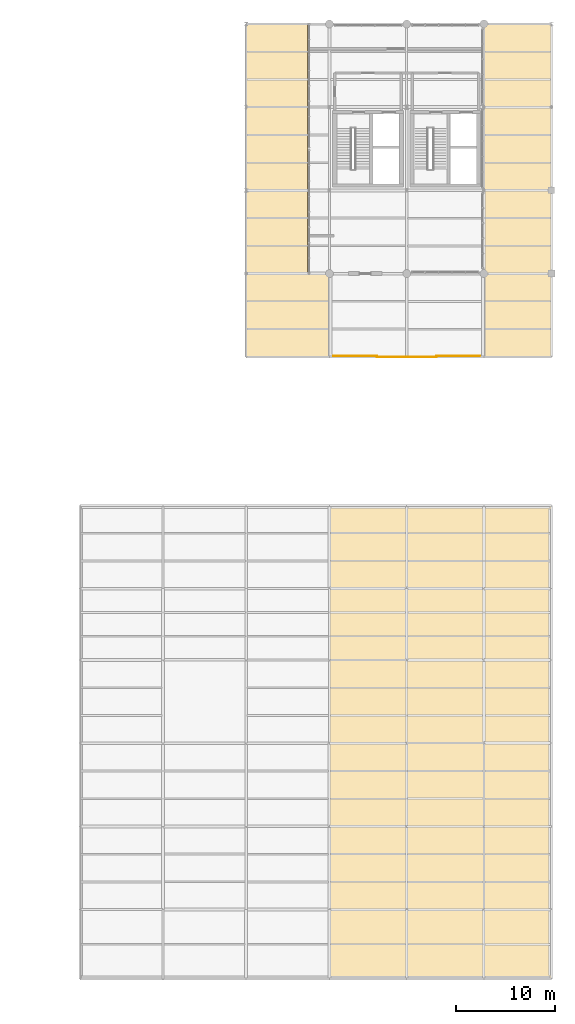
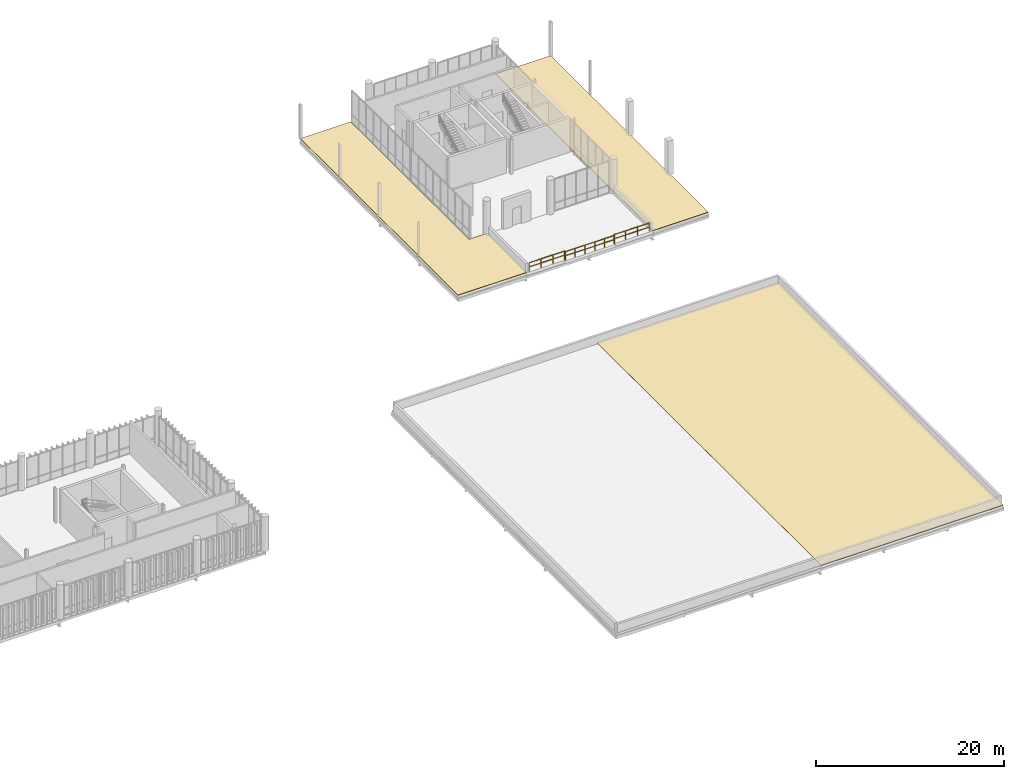
# One storey, part 66 of 68: 3 coverings, 3 railings, 3 elements without a shape of their own.
"""IFC4 building model written with IfcOpenShell, lengths in metres."""

import ifcopenshell
import ifcopenshell.guid

model = None  # the IFC model being written
_history = None  # IfcOwnerHistory: only IFC2X3 demands one
_inside = {}  # id of a spatial element -> (the spatial element, [elements in it])
_under = {}  # id of a project, library or spatial element -> (it, [spatial elements below it])
_declared = {}  # id of a project -> (the project, [libraries it declares])
_typed = {}  # id of a type object -> (the type object, [elements of that type])
_made_of = {}  # id of a material, layer set ... -> (it, [elements and type objects made of it])


def new_model(schema):
    """Start an empty IFC model of exactly this schema.

    Asked for "IFC4X3", IfcOpenShell would pick the latest addendum, in which some entities
    have other attributes; the version numbers below select the first issue.
    IFC2X3 requires an IfcOwnerHistory on every rooted entity: one is made here for all.
    """
    global model, _history
    if schema == "IFC4X3":
        model = ifcopenshell.file(schema_version=(4, 3, 0, 0))
    else:
        model = ifcopenshell.file(schema=schema)
    _inside.clear()
    _under.clear()
    _declared.clear()
    _typed.clear()
    _made_of.clear()
    _history = None
    if model.schema == "IFC2X3":
        org = make("IfcOrganization", Name="unknown")
        user = make(
            "IfcPersonAndOrganization",
            ThePerson=make("IfcPerson", FamilyName="unknown"),
            TheOrganization=org,
        )
        app = make(
            "IfcApplication",
            ApplicationDeveloper=org,
            Version="unknown",
            ApplicationFullName="unknown",
            ApplicationIdentifier="unknown",
        )
        _history = make(
            "IfcOwnerHistory",
            OwningUser=user,
            OwningApplication=app,
            ChangeAction="ADDED",
            CreationDate=0,
        )
    return model


def make(cls, **values):
    """One entity of the class cls with the attributes given. An attribute that is None is left unset."""
    return model.create_entity(
        cls, **{name: value for name, value in values.items() if value is not None}
    )


def rooted(cls, **values):
    """An entity with a GlobalId (a new one), such as an element, a storey or a relation."""
    return make(cls, GlobalId=ifcopenshell.guid.new(), OwnerHistory=_history, **values)


def si_unit(unit_type, name, prefix=None):
    """IfcSIUnit, for example si_unit("LENGTHUNIT", "METRE", prefix="MILLI")."""
    return make("IfcSIUnit", UnitType=unit_type, Prefix=prefix, Name=name)


def assignment(units):
    """IfcUnitAssignment: the units of a project."""
    return None if units is None else make("IfcUnitAssignment", Units=units)


def point(xyz):
    """IfcCartesianPoint."""
    return None if xyz is None else make("IfcCartesianPoint", Coordinates=xyz)


def direction(xyz):
    """IfcDirection."""
    return None if xyz is None else make("IfcDirection", DirectionRatios=xyz)


def frame(location, z_axis=None, x_axis=None):
    """IfcAxis2Placement3D, a coordinate frame: its origin and axes. An axis left out is left unset."""
    return make(
        "IfcAxis2Placement3D",
        Location=point(location),
        Axis=direction(z_axis),
        RefDirection=direction(x_axis),
    )


def frame_2d(location, x_axis=None):
    """IfcAxis2Placement2D, a coordinate frame in the plane: its origin and x axis."""
    return make(
        "IfcAxis2Placement2D", Location=point(location), RefDirection=direction(x_axis)
    )


def origin_with_axes():
    """The frame at (0, 0, 0) with the z axis (0, 0, 1) and the x axis (1, 0, 0) written out."""
    return frame((0.0, 0.0, 0.0), z_axis=(0.0, 0.0, 1.0), x_axis=(1.0, 0.0, 0.0))


def origin_2d_with_axis():
    """The frame at (0, 0) in the plane with the x axis (1, 0) written out."""
    return frame_2d((0.0, 0.0), x_axis=(1.0, 0.0))


def place(relative_to, where):
    """IfcLocalPlacement: puts the frame where relative to a parent placement (None: the world)."""
    return make(
        "IfcLocalPlacement", PlacementRelTo=relative_to, RelativePlacement=where
    )


def context(
    kind, dimensions, precision=None, world=None, true_north=None, identifier=None
):
    """IfcGeometricRepresentationContext, for example the 3D "Model" context."""
    return make(
        "IfcGeometricRepresentationContext",
        ContextIdentifier=identifier,
        ContextType=kind,
        CoordinateSpaceDimension=dimensions,
        Precision=precision,
        WorldCoordinateSystem=world,
        TrueNorth=true_north,
    )


def subcontext(parent, identifier, kind, view, scale=None):
    """IfcGeometricRepresentationSubContext, for example "Body" below "Model"."""
    return make(
        "IfcGeometricRepresentationSubContext",
        ContextIdentifier=identifier,
        ContextType=kind,
        ParentContext=parent,
        TargetScale=scale,
        TargetView=view,
    )


def project(units=None, contexts=None):
    """IfcProject with its units and contexts."""
    return rooted(
        "IfcProject",
        Name="project",
        RepresentationContexts=contexts,
        UnitsInContext=assignment(units),
    )


def spatial(cls, under=None, at=None, **own):
    """A site, building, storey or space (cls), placed at a placement, below another one or the project."""
    s = rooted(cls, ObjectPlacement=at, **own)
    if under is not None:
        _under.setdefault(under.id(), (under, []))[1].append(s)
    return s


def polyline(points):
    """IfcPolyline through the points."""
    return make("IfcPolyline", Points=[point(p) for p in points])


def profile(cls, at=None, kind="AREA", **sizes):
    """A parametric profile (cls). Its sizes go by their IFC names, for example OverallWidth=200.0."""
    return make(cls, ProfileType=kind, Position=at, **sizes)


def circle(**sizes):
    """IfcCircleProfileDef."""
    return profile("IfcCircleProfileDef", **sizes)


def outline(outer, holes=None, kind="AREA"):
    """IfcArbitraryClosedProfileDef: a profile drawn as a closed curve; with holes, ...WithVoids."""
    if holes is None:
        return make("IfcArbitraryClosedProfileDef", ProfileType=kind, OuterCurve=outer)
    return make(
        "IfcArbitraryProfileDefWithVoids",
        ProfileType=kind,
        OuterCurve=outer,
        InnerCurves=holes,
    )


def extrude(swept, where, along, depth):
    """IfcExtrudedAreaSolid: the profile swept, set in the frame where, extruded along a direction by depth."""
    return make(
        "IfcExtrudedAreaSolid",
        SweptArea=swept,
        Position=where,
        ExtrudedDirection=direction(along),
        Depth=depth,
    )


def shape(context_of_items, identifier, shape_type, items):
    """IfcShapeRepresentation: the items that make up one representation, for example the "Body"."""
    return make(
        "IfcShapeRepresentation",
        ContextOfItems=context_of_items,
        RepresentationIdentifier=identifier,
        RepresentationType=shape_type,
        Items=items,
    )


def material(Name=None, Category=None):
    """IfcMaterial."""
    return make("IfcMaterial", Name=Name, Category=Category)


def made_of(thing, what):
    """Note that an element or type object is made of a material, layer set ...; save() writes the relation."""
    if what is not None:
        _made_of.setdefault(what.id(), (what, []))[1].append(thing)
    return thing


def type_object(cls, material=None, **own):
    """A type object (cls), such as IfcWallType, which elements share."""
    return made_of(rooted(cls, **own), material)


def element(
    cls,
    number,
    at=None,
    inside=None,
    cuts=None,
    type_object=None,
    material=None,
    context=None,
    identifier="Body",
    shape_type=None,
    held_by="IfcProductDefinitionShape",
    body=None,
    shapes=None,
    **own,
):
    """One element of the class cls, such as IfcWall. Its Tag is "e" and its number.

    at: its placement. inside: the storey or other place that contains it. cuts: it is an
    opening in that element (IfcRelVoidsElement). A single representation is given by context,
    identifier, shape_type and body (its items); several are given by shapes. held_by: the class
    of the entity that holds the representations. save() writes the other relations.
    """
    e = rooted(cls, Tag="e%d" % number, ObjectPlacement=at, **own)
    if body is not None:
        shapes = [shape(context, identifier, shape_type, body)]
    if shapes is not None:
        e.Representation = make(held_by, Representations=shapes)
    if inside is not None:
        _inside.setdefault(inside.id(), (inside, []))[1].append(e)
    if cuts is not None:
        rooted(
            "IfcRelVoidsElement", RelatingBuildingElement=cuts, RelatedOpeningElement=e
        )
    if type_object is not None:
        _typed.setdefault(type_object.id(), (type_object, []))[1].append(e)
    return made_of(e, material)


def aggregate(whole, parts):
    """IfcRelAggregates: a whole, such as a stair, and the parts it consists of."""
    return rooted("IfcRelAggregates", RelatingObject=whole, RelatedObjects=parts)


def save(model, path):
    """Write the relations noted so far, then the file.

    IfcRelAggregates (storeys below a building ...), IfcRelContainedInSpatialStructure (elements
    in a storey), IfcRelDefinesByType, IfcRelAssociatesMaterial and IfcRelDeclares: one each for
    every whole, place, type object, material and project.
    """
    for whole, parts in _under.values():
        aggregate(whole, parts)
    for where, things in _inside.values():
        rooted(
            "IfcRelContainedInSpatialStructure",
            RelatedElements=things,
            RelatingStructure=where,
        )
    for kind, things in _typed.values():
        rooted("IfcRelDefinesByType", RelatedObjects=things, RelatingType=kind)
    for what, things in _made_of.values():
        rooted("IfcRelAssociatesMaterial", RelatedObjects=things, RelatingMaterial=what)
    for by, libraries in _declared.values():
        rooted("IfcRelDeclares", RelatingContext=by, RelatedDefinitions=libraries)
    model.write(path)


model = new_model("IFC4")

# Units and contexts
model_context = context("Model", 3, precision=1e-05, world=origin_with_axes(), true_north=direction((0.0, 1.0)))
body_context = subcontext(model_context, "Body", "Model", "MODEL_VIEW")
ifc_project = project(units=[si_unit("LENGTHUNIT", "METRE"), si_unit("AREAUNIT", "SQUARE_METRE"), si_unit("VOLUMEUNIT", "CUBIC_METRE"), si_unit("PLANEANGLEUNIT", "RADIAN"), si_unit("MASSUNIT", "GRAM", prefix="KILO"), si_unit("THERMODYNAMICTEMPERATUREUNIT", "KELVIN")], contexts=[model_context])

# Site, building, storey
site_placement = place(None, origin_with_axes())
site = spatial("IfcSite", under=ifc_project, at=site_placement, CompositionType="ELEMENT")
building_placement = place(site_placement, origin_with_axes())
building = spatial("IfcBuilding", under=site, at=building_placement, Name="Montbau Bow Law Courts", CompositionType="ELEMENT")
storey_placement = place(building_placement, frame((0.0, 0.0, 20.4), z_axis=(0.0, 0.0, 1.0), x_axis=(1.0, 0.0, 0.0)))
storey = spatial("IfcBuildingStorey", under=building, at=storey_placement, Name="L04", CompositionType="ELEMENT", Elevation=20.4)

# Roof, covering
ifc_material_1 = material(Name="Insulated Inverted Membrane Roof", Category="other")
roof_type = type_object("IfcRoofType", Name="RF-FL-01", PredefinedType="FLAT_ROOF", material=ifc_material_1)
roof_1_placement = place(None, frame((147.0, 6.8, 20.4), z_axis=(0.0, 0.0, 1.0), x_axis=(1.0, 0.0, 0.0)))
roof_1 = element("IfcRoof", 1, at=roof_1_placement, inside=storey, type_object=roof_type, Name="ROOF-V6S:rof_0005", PredefinedType="FLAT_ROOF")
ifc_material_2 = material(Name="Standing-Seam Pre-Weathered Zinc Roofing Membrane", Category="steel")
covering_type = type_object("IfcCoveringType", Name="CV-ROF-01", PredefinedType="ROOFING", material=ifc_material_2)
covering_1_placement = place(None, frame((0.0, 0.0, 20.4), z_axis=(0.0, 0.0, 1.0), x_axis=(1.0, 0.0, 0.0)))
covering_1 = element("IfcCovering", 2, at=covering_1_placement, type_object=covering_type, Name="CVR-V6S:cov_0005", PredefinedType="ROOFING", context=body_context, shape_type="SweptSolid", body=[
    extrude(outline(polyline([(147.0, 6.8), (169.4, 6.8), (169.4, 54.6), (147.0, 54.6), (147.0, 6.8)])), origin_with_axes(), (0.0, 0.0, 1.0), 0.06),
])
aggregate(roof_1, [covering_1])

roof_2_placement = place(None, frame((138.6, 69.6, 20.4), z_axis=(0.0, 0.0, 1.0), x_axis=(1.0, 0.0, 0.0)))
roof_2 = element("IfcRoof", 3, at=roof_2_placement, inside=storey, type_object=roof_type, Name="ROOF-LID-L04-18:rof_0023", PredefinedType="FLAT_ROOF")
covering_2_placement = place(None, frame((0.0, 0.0, 20.4), z_axis=(0.0, 0.0, 1.0), x_axis=(1.0, 0.0, 0.0)))
covering_2 = element("IfcCovering", 4, at=covering_2_placement, type_object=covering_type, Name="CVR-LID-L04-18:cov_0023", PredefinedType="ROOFING", context=body_context, shape_type="SweptSolid", body=[
    extrude(outline(polyline([(144.796, 103.2), (144.796, 77.996), (146.996, 77.996), (146.996, 69.6), (138.6, 69.6), (138.6, 103.2), (144.796, 103.2)])), origin_with_axes(), (0.0, 0.0, 1.0), 0.06),
])
aggregate(roof_2, [covering_2])

roof_3_placement = place(None, frame((162.604, 69.6, 20.4), z_axis=(0.0, 0.0, 1.0), x_axis=(1.0, 0.0, 0.0)))
roof_3 = element("IfcRoof", 5, at=roof_3_placement, inside=storey, type_object=roof_type, Name="ROOF-LID-L04-19:rof_0024", PredefinedType="FLAT_ROOF")
covering_3_placement = place(None, frame((0.0, 0.0, 20.4), z_axis=(0.0, 0.0, 1.0), x_axis=(1.0, 0.0, 0.0)))
covering_3 = element("IfcCovering", 6, at=covering_3_placement, type_object=covering_type, Name="CVR-LID-L04-19:cov_0024", PredefinedType="ROOFING", context=body_context, shape_type="SweptSolid", body=[
    extrude(outline(polyline([(169.4, 103.2), (169.4, 69.6), (162.604, 69.6), (162.604, 103.2), (169.4, 103.2)])), origin_with_axes(), (0.0, 0.0, 1.0), 0.06),
])
aggregate(roof_3, [covering_3])

# Railings
ifc_material_3 = material(Name="Brushed Stainless Steel AISI 316L Guardrail", Category="steel")
railing_type = type_object("IfcRailingType", Name="RL-GRD-1120", PredefinedType="GUARDRAIL", material=ifc_material_3)
railing_1_placement = place(None, origin_with_axes())
element("IfcRailing", 7, at=railing_1_placement, inside=storey, type_object=railing_type, Name="GRD-TER-L04-V5-4:rlg_0014", PredefinedType="GUARDRAIL", context=body_context, shape_type="SweptSolid", body=[
    extrude(circle(Radius=0.025, at=origin_2d_with_axis()), frame((162.184, 69.7, 21.522), z_axis=(-1.0, 0.0, 0.0), x_axis=(0.0, 0.0, 1.0)), (0.0, 0.0, 1.0), 4.364),
    extrude(circle(Radius=0.022500000000000003, at=origin_2d_with_axis()), frame((162.184, 69.7, 20.9824), z_axis=(-1.0, 0.0, 0.0), x_axis=(0.0, 0.0, 1.0)), (0.0, 0.0, 1.0), 4.364),
    extrude(circle(Radius=0.022500000000000003, at=origin_2d_with_axis()), frame((162.184, 69.7, 20.4), z_axis=(0.0, 0.0, 1.0), x_axis=(1.0, 0.0, 0.0)), (0.0, 0.0, 1.0), 1.0925),
    extrude(circle(Radius=0.022500000000000003, at=origin_2d_with_axis()), frame((160.729333, 69.7, 20.4), z_axis=(0.0, 0.0, 1.0), x_axis=(1.0, 0.0, 0.0)), (0.0, 0.0, 1.0), 1.0925),
    extrude(circle(Radius=0.022500000000000003, at=origin_2d_with_axis()), frame((159.274667, 69.7, 20.4), z_axis=(0.0, 0.0, 1.0), x_axis=(1.0, 0.0, 0.0)), (0.0, 0.0, 1.0), 1.0925),
    extrude(circle(Radius=0.022500000000000003, at=origin_2d_with_axis()), frame((157.82, 69.7, 20.4), z_axis=(0.0, 0.0, 1.0), x_axis=(1.0, 0.0, 0.0)), (0.0, 0.0, 1.0), 1.0925),
])
railing_2_placement = place(None, origin_with_axes())
element("IfcRailing", 8, at=railing_2_placement, inside=storey, type_object=railing_type, Name="GRD-TER-L04-V5-6:rlg_0015", PredefinedType="GUARDRAIL", context=body_context, shape_type="SweptSolid", body=[
    extrude(circle(Radius=0.025, at=origin_2d_with_axis()), frame((157.82, 69.56, 21.522), z_axis=(-1.0, 0.0, 0.0), x_axis=(0.0, 0.0, 1.0)), (0.0, 0.0, 1.0), 6.04),
    extrude(circle(Radius=0.022500000000000003, at=origin_2d_with_axis()), frame((157.82, 69.56, 20.9824), z_axis=(-1.0, 0.0, 0.0), x_axis=(0.0, 0.0, 1.0)), (0.0, 0.0, 1.0), 6.04),
    extrude(circle(Radius=0.022500000000000003, at=origin_2d_with_axis()), frame((157.82, 69.56, 20.4), z_axis=(0.0, 0.0, 1.0), x_axis=(1.0, 0.0, 0.0)), (0.0, 0.0, 1.0), 1.0925),
    extrude(circle(Radius=0.022500000000000003, at=origin_2d_with_axis()), frame((156.612, 69.56, 20.4), z_axis=(0.0, 0.0, 1.0), x_axis=(1.0, 0.0, 0.0)), (0.0, 0.0, 1.0), 1.0925),
    extrude(circle(Radius=0.022500000000000003, at=origin_2d_with_axis()), frame((155.404, 69.56, 20.4), z_axis=(0.0, 0.0, 1.0), x_axis=(1.0, 0.0, 0.0)), (0.0, 0.0, 1.0), 1.0925),
    extrude(circle(Radius=0.022500000000000003, at=origin_2d_with_axis()), frame((154.196, 69.56, 20.4), z_axis=(0.0, 0.0, 1.0), x_axis=(1.0, 0.0, 0.0)), (0.0, 0.0, 1.0), 1.0925),
    extrude(circle(Radius=0.022500000000000003, at=origin_2d_with_axis()), frame((152.988, 69.56, 20.4), z_axis=(0.0, 0.0, 1.0), x_axis=(1.0, 0.0, 0.0)), (0.0, 0.0, 1.0), 1.0925),
    extrude(circle(Radius=0.022500000000000003, at=origin_2d_with_axis()), frame((151.78, 69.56, 20.4), z_axis=(0.0, 0.0, 1.0), x_axis=(1.0, 0.0, 0.0)), (0.0, 0.0, 1.0), 1.0925),
])
railing_3_placement = place(None, origin_with_axes())
element("IfcRailing", 9, at=railing_3_placement, inside=storey, type_object=railing_type, Name="GRD-TER-L04-V5-8:rlg_0016", PredefinedType="GUARDRAIL", context=body_context, shape_type="SweptSolid", body=[
    extrude(circle(Radius=0.025, at=origin_2d_with_axis()), frame((151.78, 69.7, 21.522), z_axis=(-1.0, 0.0, 0.0), x_axis=(0.0, 0.0, 1.0)), (0.0, 0.0, 1.0), 4.364),
    extrude(circle(Radius=0.022500000000000003, at=origin_2d_with_axis()), frame((151.78, 69.7, 20.9824), z_axis=(-1.0, 0.0, 0.0), x_axis=(0.0, 0.0, 1.0)), (0.0, 0.0, 1.0), 4.364),
    extrude(circle(Radius=0.022500000000000003, at=origin_2d_with_axis()), frame((151.78, 69.7, 20.4), z_axis=(0.0, 0.0, 1.0), x_axis=(1.0, 0.0, 0.0)), (0.0, 0.0, 1.0), 1.0925),
    extrude(circle(Radius=0.022500000000000003, at=origin_2d_with_axis()), frame((150.325333, 69.7, 20.4), z_axis=(0.0, 0.0, 1.0), x_axis=(1.0, 0.0, 0.0)), (0.0, 0.0, 1.0), 1.0925),
    extrude(circle(Radius=0.022500000000000003, at=origin_2d_with_axis()), frame((148.870667, 69.7, 20.4), z_axis=(0.0, 0.0, 1.0), x_axis=(1.0, 0.0, 0.0)), (0.0, 0.0, 1.0), 1.0925),
    extrude(circle(Radius=0.022500000000000003, at=origin_2d_with_axis()), frame((147.416, 69.7, 20.4), z_axis=(0.0, 0.0, 1.0), x_axis=(1.0, 0.0, 0.0)), (0.0, 0.0, 1.0), 1.0925),
])

save(model, "model.ifc")
